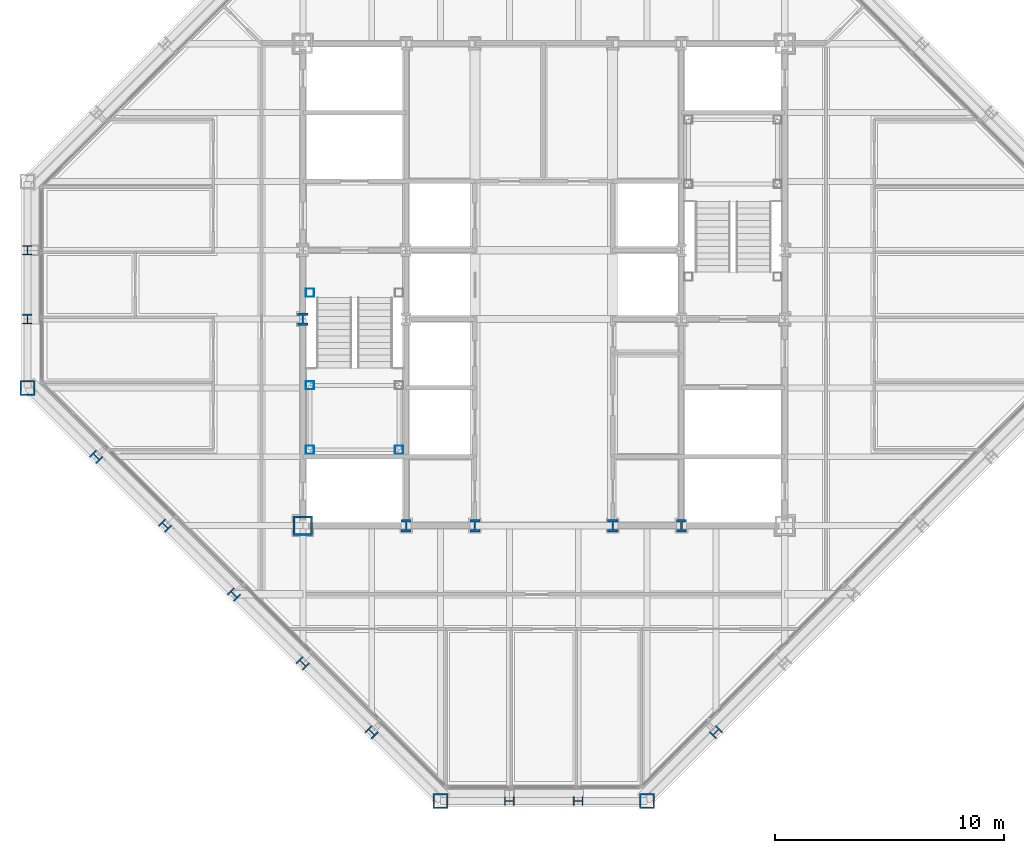
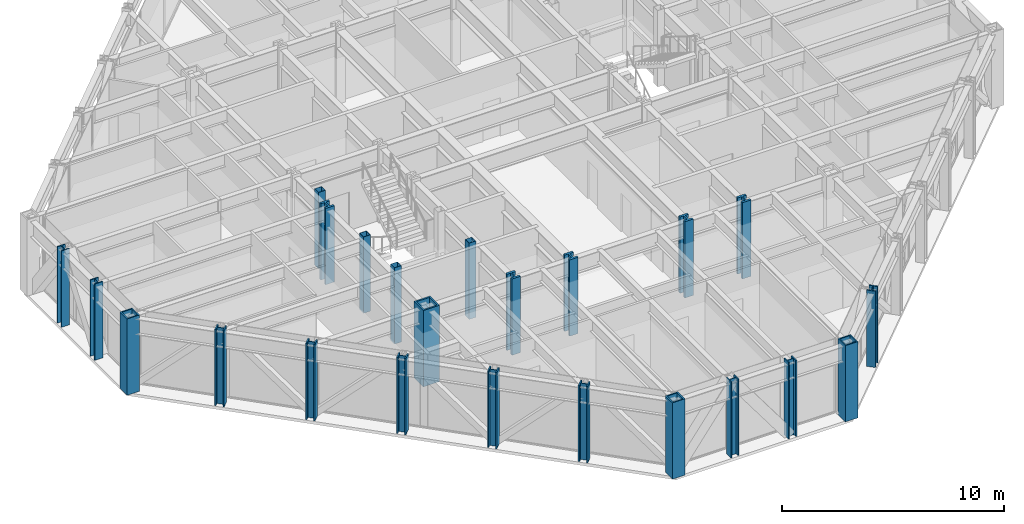
# One storey, part 1 of 15: 23 columns.
"""IFC4 building model written with IfcOpenShell, lengths in metres."""

from ifc_helpers import new_model, si_unit, direction, frame, origin, origin_2d, place, context, subcontext, project, spatial, hollow_rectangle, i_section, extrude, material, material_profile, profile_set, type_object, element, save


model = new_model("IFC4")

# Units and contexts
model_context = context("Model", 3, precision=1e-05, world=origin(), true_north=direction((0.0, 1.0)))
body_context = subcontext(model_context, "Body", "Model", "MODEL_VIEW")
ifc_project = project(units=[si_unit("LENGTHUNIT", "METRE"), si_unit("AREAUNIT", "SQUARE_METRE"), si_unit("VOLUMEUNIT", "CUBIC_METRE"), si_unit("PLANEANGLEUNIT", "RADIAN"), si_unit("MASSUNIT", "GRAM", prefix="KILO")], contexts=[model_context])

# Site, building, storey
site_placement = place(None, origin())
site = spatial("IfcSite", under=ifc_project, at=site_placement, CompositionType="ELEMENT")
building_placement = place(site_placement, origin())
building = spatial("IfcBuilding", under=site, at=building_placement, Name="Chuquiago Exchange Tower", CompositionType="ELEMENT")
storey_placement = place(building_placement, frame((0.0, 0.0, 262.199951171875)))
storey = spatial("IfcBuildingStorey", under=building, at=storey_placement, Name="L58", CompositionType="ELEMENT", Elevation=262.199951171875)

# Columns
ifc_material_1 = material(Name="Steel ASTM A992", Category="steel")
ifc_material_profile_1 = material_profile(ifc_material_1, i_section(OverallWidth=0.411376953125, OverallDepth=0.434326171875, WebThickness=0.035888671875, FlangeThickness=0.057373046875, at=origin_2d()), Name="W14X311")
ifc_profile_set_1 = profile_set([ifc_material_profile_1], Name="Steel ASTM A992")
column_type_1 = type_object("IfcColumnType", Name="C5 W14X311", PredefinedType="COLUMN", material=ifc_profile_set_1)
for number, where, z_axis, x_axis, name in (
    (1, (21.0, 0.0, 0.0), (0.0, 0.0, 1.0), (0.0, -1.0, 0.0), "COL-L58-21_0"),
    (2, (24.0, 0.0, 0.0), (0.0, 0.0, 1.0), (0.0, -1.0, 0.0), "COL-L58-24_0"),
    (3, (0.0, 24.0, 0.0), (0.0, 0.0, 1.0), (-1.0, 0.0, 0.0), "COL-L58-0_24"),
    (4, (0.0, 21.0, 0.0), (0.0, 0.0, 1.0), (-1.0, 0.0, 0.0), "COL-L58-0_21"),
):
    element("IfcColumn", number, at=place(storey_placement, frame(where, z_axis=z_axis, x_axis=x_axis)), inside=storey, type_object=column_type_1, Name=name, PredefinedType="COLUMN", context=body_context, shape_type="SweptSolid", body=[
        extrude(i_section(OverallWidth=0.411376953125, OverallDepth=0.434326171875, WebThickness=0.035888671875, FlangeThickness=0.057373046875, at=origin_2d()), origin(), (0.0, 0.0, 1.0), 4.199951171875),
    ])
ifc_material_2 = material(Name="Steel ASTM A992", Category="steel")
ifc_material_profile_2 = material_profile(ifc_material_2, i_section(OverallWidth=0.449462890625, OverallDepth=0.548583984375, WebThickness=0.07177734375, FlangeThickness=0.11474609375, at=origin_2d()), Name="W14X665")
ifc_profile_set_2 = profile_set([ifc_material_profile_2], Name="Steel ASTM A992")
column_type_2 = type_object("IfcColumnType", Name="CC5 W14X665", PredefinedType="COLUMN", material=ifc_profile_set_2)
for number, where, z_axis, x_axis, name in (
    (5, (16.5, 12.0, 0.0), (0.0, 0.0, 1.0), (1.0, 0.0, 0.0), "CCOL-L58-16.5_12"),
    (6, (19.5, 12.0, 0.0), (0.0, 0.0, 1.0), (1.0, 0.0, 0.0), "CCOL-L58-19.5_12"),
    (7, (25.5, 12.0, 0.0), (0.0, 0.0, 1.0), (1.0, 0.0, 0.0), "CCOL-L58-25.5_12"),
    (8, (28.5, 12.0, 0.0), (0.0, 0.0, 1.0), (1.0, 0.0, 0.0), "CCOL-L58-28.5_12"),
    (9, (12.0, 21.0, 0.0), (0.0, 0.0, 1.0), (1.0, 0.0, 0.0), "CCOL-L58-12_21"),
):
    element("IfcColumn", number, at=place(storey_placement, frame(where, z_axis=z_axis, x_axis=x_axis)), inside=storey, type_object=column_type_2, Name=name, PredefinedType="COLUMN", context=body_context, shape_type="SweptSolid", body=[
        extrude(i_section(OverallWidth=0.449462890625, OverallDepth=0.548583984375, WebThickness=0.07177734375, FlangeThickness=0.11474609375, at=origin_2d()), origin(), (0.0, 0.0, 1.0), 4.199951171875),
    ])
ifc_material_3 = material(Name="Steel ASTM A572 Grade 50", Category="steel")
ifc_material_profile_3 = material_profile(ifc_material_3, hollow_rectangle(XDim=0.85009765625, YDim=0.85009765625, WallThickness=0.0849609375, at=origin_2d()), Name="BOX850X850X85")
ifc_profile_set_3 = profile_set([ifc_material_profile_3], Name="Steel ASTM A572 Grade 50")
column_type_3 = type_object("IfcColumnType", Name="CC6 BOX850X850X85", PredefinedType="COLUMN", material=ifc_profile_set_3)
column_placement = place(storey_placement, frame((12.0, 12.0, 0.0), z_axis=(0.0, 0.0, 1.0), x_axis=(1.0, 0.0, 0.0)))
element("IfcColumn", 10, at=column_placement, inside=storey, type_object=column_type_3, Name="CCOL-L58-12_12", PredefinedType="COLUMN", context=body_context, shape_type="SweptSolid", body=[
    extrude(hollow_rectangle(XDim=0.85009765625, YDim=0.85009765625, WallThickness=0.0849609375, at=origin_2d()), origin(), (0.0, 0.0, 1.0), 4.199951171875),
])
ifc_material_4 = material(Name="Steel ASTM A992", Category="steel")
ifc_material_profile_4 = material_profile(ifc_material_4, i_section(OverallWidth=0.41650390625, OverallDepth=0.444580078125, WebThickness=0.0390625, FlangeThickness=0.062744140625, at=origin_2d()), Name="W14X342")
ifc_profile_set_4 = profile_set([ifc_material_profile_4], Name="Steel ASTM A992")
column_type_4 = type_object("IfcColumnType", Name="CK5 W14X342", PredefinedType="COLUMN", material=ifc_profile_set_4)
for number, where, z_axis, x_axis, name in (
    (11, (30.0, 3.0, 0.0), (0.0, 0.0, 1.0), (0.707106781187, -0.707106781187, 0.0), "COL-L58-30_3"),
    (12, (3.0, 15.0, 0.0), (0.0, 0.0, 1.0), (-0.707106781187, -0.707106781187, 0.0), "COL-L58-3_15"),
    (13, (6.0, 12.0, 0.0), (0.0, 0.0, 1.0), (-0.707106781187, -0.707106781187, 0.0), "COL-L58-6_12"),
    (14, (9.0, 9.0, 0.0), (0.0, 0.0, 1.0), (-0.707106781187, -0.707106781187, 0.0), "COL-L58-9_9"),
    (15, (12.0, 6.0, 0.0), (0.0, 0.0, 1.0), (-0.707106781187, -0.707106781187, 0.0), "COL-L58-12_6"),
    (16, (15.0, 3.0, 0.0), (0.0, 0.0, 1.0), (-0.707106781187, -0.707106781187, 0.0), "COL-L58-15_3"),
):
    element("IfcColumn", number, at=place(storey_placement, frame(where, z_axis=z_axis, x_axis=x_axis)), inside=storey, type_object=column_type_4, Name=name, PredefinedType="COLUMN", context=body_context, shape_type="SweptSolid", body=[
        extrude(i_section(OverallWidth=0.41650390625, OverallDepth=0.444580078125, WebThickness=0.0390625, FlangeThickness=0.062744140625, at=origin_2d()), origin(), (0.0, 0.0, 1.0), 4.199951171875),
    ])
ifc_material_5 = material(Name="Steel ASTM A572 Grade 50", Category="steel")
ifc_material_profile_5 = material_profile(ifc_material_5, hollow_rectangle(XDim=0.64990234375, YDim=0.64990234375, WallThickness=0.06494140625, at=origin_2d()), Name="BOX650X650X65")
ifc_profile_set_5 = profile_set([ifc_material_profile_5], Name="Steel ASTM A572 Grade 50")
column_type_5 = type_object("IfcColumnType", Name="CN2 BOX650X650X65", PredefinedType="COLUMN", material=ifc_profile_set_5)
for number, where, z_axis, x_axis, name in (
    (17, (18.0, 0.0, 0.0), (0.0, 0.0, 1.0), (0.0, -1.0, 0.0), "COL-L58-18_0"),
    (18, (27.0, 0.0, 0.0), (0.0, 0.0, 1.0), (0.0, -1.0, 0.0), "COL-L58-27_0"),
    (19, (0.0, 18.0, 0.0), (0.0, 0.0, 1.0), (-1.0, 0.0, 0.0), "COL-L58-0_18"),
):
    element("IfcColumn", number, at=place(storey_placement, frame(where, z_axis=z_axis, x_axis=x_axis)), inside=storey, type_object=column_type_5, Name=name, PredefinedType="COLUMN", context=body_context, shape_type="SweptSolid", body=[
        extrude(hollow_rectangle(XDim=0.64990234375, YDim=0.64990234375, WallThickness=0.06494140625, at=origin_2d()), origin(), (0.0, 0.0, 1.0), 4.199951171875),
    ])
ifc_material_6 = material(Name="Steel ASTM A500 Grade C", Category="steel")
ifc_material_profile_6 = material_profile(ifc_material_6, hollow_rectangle(XDim=0.355712890625, YDim=0.355712890625, WallThickness=0.0087890625, at=origin_2d()), Name="HSS14X14X3/8")
ifc_profile_set_6 = profile_set([ifc_material_profile_6], Name="Steel ASTM A500 Grade C")
column_type_6 = type_object("IfcColumnType", Name="PT1 HSS14X14X3/8", PredefinedType="COLUMN", material=ifc_profile_set_6)
for number, where, z_axis, x_axis, name in (
    (20, (12.31005859375, 15.31005859375, 0.0), (0.0, 0.0, 1.0), (1.0, 0.0, 0.0), "Stair ST1 L58 landing post"),
    (21, (16.18994140625, 15.31005859375, 0.0), (0.0, 0.0, 1.0), (1.0, 0.0, 0.0), "Stair ST1 L58 landing post"),
    (22, (12.31005859375, 18.110107421875, 0.0), (0.0, 0.0, 1.0), (1.0, 0.0, 0.0), "Stair ST1 L58 landing post"),
    (23, (12.31005859375, 22.14990234375, 0.0), (0.0, 0.0, 1.0), (1.0, 0.0, 0.0), "Stair ST1 L58 landing post"),
):
    element("IfcColumn", number, at=place(storey_placement, frame(where, z_axis=z_axis, x_axis=x_axis)), inside=storey, type_object=column_type_6, Name=name, PredefinedType="COLUMN", context=body_context, shape_type="SweptSolid", body=[
        extrude(hollow_rectangle(XDim=0.355712890625, YDim=0.355712890625, WallThickness=0.0087890625, at=origin_2d()), origin(), (0.0, 0.0, 1.0), 4.199951171875),
    ])

save(model, "model.ifc")
